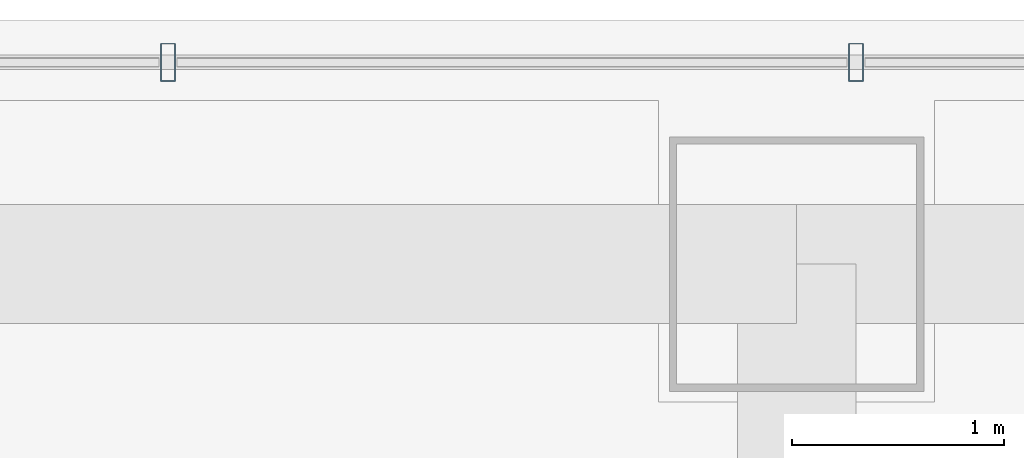
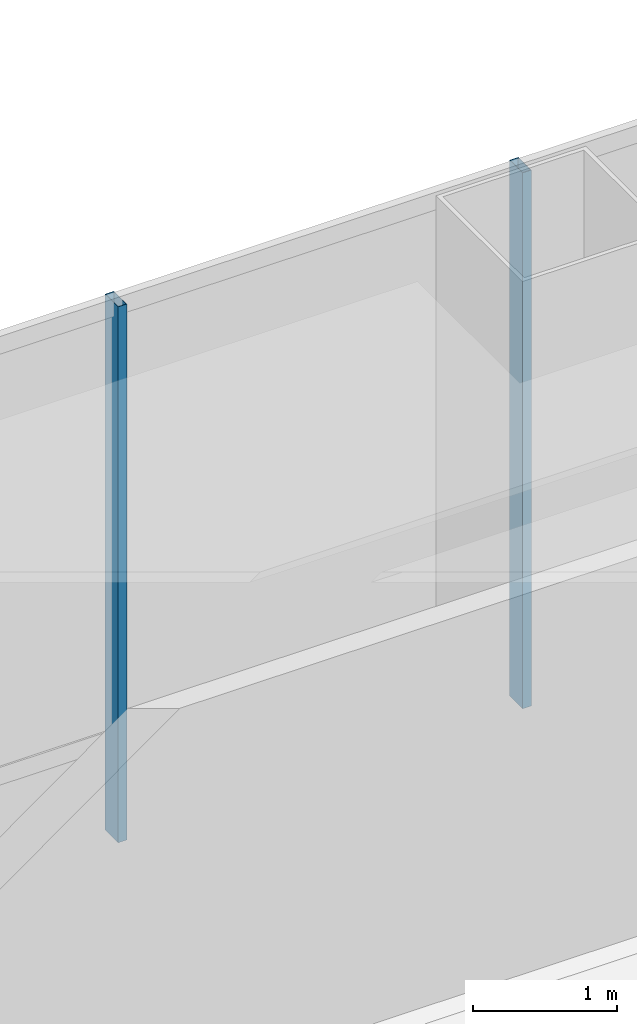
# One storey, part 29 of 44: 2 members, 1 element without a shape of its own.
"""IFC4 building model written with IfcOpenShell, lengths in metres."""

from ifc_helpers import new_model, si_unit, direction, frame, origin, origin_2d, place, context, subcontext, project, spatial, hollow_rectangle, extrude, material, material_profile, profile_set, type_object, element, aggregate, save


model = new_model("IFC4")

# Units and contexts
model_context = context("Model", 3, precision=1e-05, world=origin(), true_north=direction((0.0, 1.0)))
body_context = subcontext(model_context, "Body", "Model", "MODEL_VIEW")
ifc_project = project(units=[si_unit("LENGTHUNIT", "METRE"), si_unit("AREAUNIT", "SQUARE_METRE"), si_unit("VOLUMEUNIT", "CUBIC_METRE"), si_unit("PLANEANGLEUNIT", "RADIAN"), si_unit("MASSUNIT", "GRAM", prefix="KILO")], contexts=[model_context])

# Site, building, storey
site_placement = place(None, origin())
site = spatial("IfcSite", under=ifc_project, at=site_placement, CompositionType="ELEMENT")
building_placement = place(site_placement, origin())
building = spatial("IfcBuilding", under=site, at=building_placement, Name="Punatoya Terracotta Tower", CompositionType="ELEMENT")
storey_placement = place(building_placement, frame((0.0, 0.0, 334.199951171875)))
storey = spatial("IfcBuildingStorey", under=building, at=storey_placement, Name="L79", CompositionType="ELEMENT", Elevation=334.199951171875)

# Curtain wall, members
ifc_material_1 = material(Name="Aluminium 6063-T6 + Double Low-E Glass", Category="aluminium")
curtain_wall_type = type_object("IfcCurtainWallType", Name="CW-OBS", PredefinedType="NOTDEFINED", material=ifc_material_1)
curtain_wall_placement = place(storey_placement, origin())
curtain_wall = element("IfcCurtainWall", 1, at=curtain_wall_placement, inside=storey, type_object=curtain_wall_type, Name="L79 Curtain Wall CW-L79-N14-1", PredefinedType="NOTDEFINED")
ifc_material_2 = material(Name="Aluminium 6063-T6", Category="aluminium")
ifc_material_profile = material_profile(ifc_material_2, hollow_rectangle(XDim=0.070068359375, YDim=0.179931640625, WallThickness=0.00390625, at=origin_2d()))
ifc_profile_set = profile_set([ifc_material_profile], Name="Aluminium 6063-T6")
member_type = type_object("IfcMemberType", Name="CW-MUL-M3", PredefinedType="MULLION", material=ifc_profile_set)
member_1_placement = place(storey_placement, frame((4.0791015625, 18.449951171875, 0.0), z_axis=(0.0, 0.0, 1.0), x_axis=(1.0, 0.0, 0.0)))
member_1 = element("IfcMember", 2, at=member_1_placement, type_object=member_type, Name="CW-L79-N14-1 Mullion 04", PredefinedType="MULLION", context=body_context, shape_type="SweptSolid", body=[
    extrude(hollow_rectangle(XDim=0.070068359375, YDim=0.179931640625, WallThickness=0.00390625, at=origin_2d()), origin(), (0.0, 0.0, 1.0), 4.5400390625),
])
member_2_placement = place(storey_placement, frame((0.839599609375, 18.449951171875, 0.0), z_axis=(0.0, 0.0, 1.0), x_axis=(1.0, 0.0, 0.0)))
member_2 = element("IfcMember", 3, at=member_2_placement, type_object=member_type, Name="CW-L79-N14-1 Mullion 05", PredefinedType="MULLION", context=body_context, shape_type="SweptSolid", body=[
    extrude(hollow_rectangle(XDim=0.070068359375, YDim=0.179931640625, WallThickness=0.00390625, at=origin_2d()), origin(), (0.0, 0.0, 1.0), 4.5400390625),
])
aggregate(curtain_wall, [member_1, member_2])

save(model, "model.ifc")
